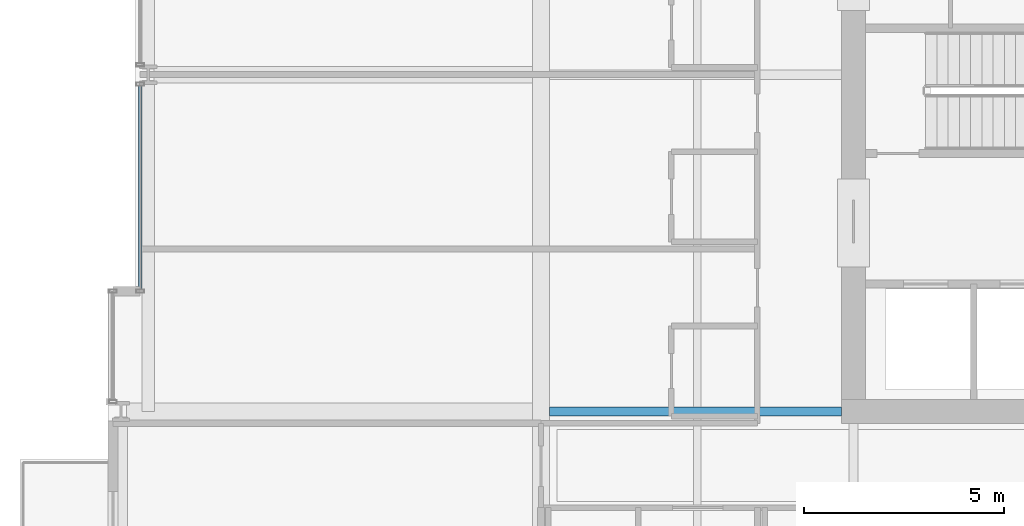
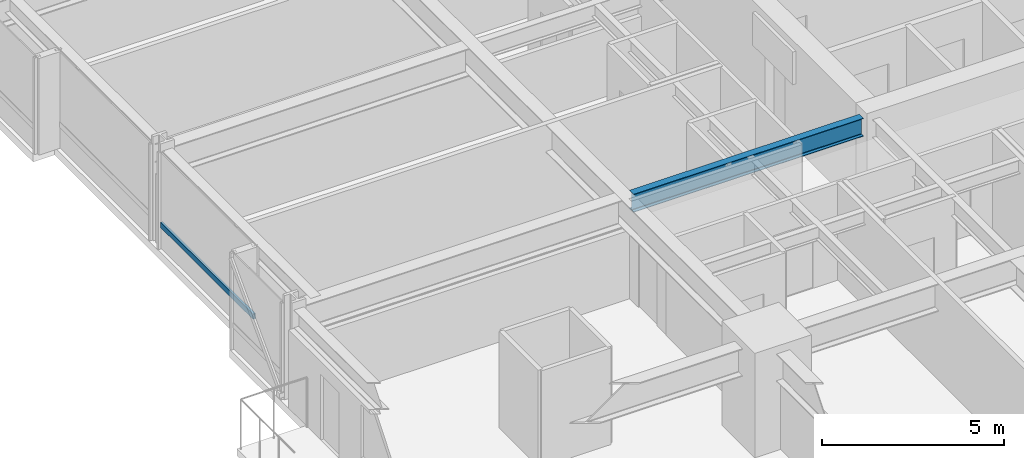
# One storey, part 8 of 39: 1 beam, 1 member, 1 element without a shape of its own.
"""IFC4 building model written with IfcOpenShell, lengths in metres."""

from ifc_helpers import new_model, si_unit, direction, frame, origin, origin_2d, place, context, subcontext, project, spatial, hollow_rectangle, i_section, extrude, material, layer, layer_set, material_profile, profile_set, type_object, element, aggregate, save


model = new_model("IFC4")

# Units and contexts
model_context = context("Model", 3, precision=1e-05, world=origin(), true_north=direction((0.0, 1.0)))
body_context = subcontext(model_context, "Body", "Model", "MODEL_VIEW")
ifc_project = project(units=[si_unit("LENGTHUNIT", "METRE"), si_unit("AREAUNIT", "SQUARE_METRE"), si_unit("VOLUMEUNIT", "CUBIC_METRE"), si_unit("PLANEANGLEUNIT", "RADIAN"), si_unit("MASSUNIT", "GRAM", prefix="KILO")], contexts=[model_context])

# Site, building, storey
site_placement = place(None, origin())
site = spatial("IfcSite", under=ifc_project, at=site_placement, CompositionType="ELEMENT")
building_placement = place(site_placement, origin())
building = spatial("IfcBuilding", under=site, at=building_placement, Name="Drelvath Grand Hotel", CompositionType="ELEMENT")
storey_placement = place(building_placement, frame((0.0, 0.0, 40.199951171875)))
storey = spatial("IfcBuildingStorey", under=building, at=storey_placement, Name="L08", CompositionType="ELEMENT", Elevation=40.199951171875)

# Curtain wall, member
ifc_material_1 = material(Name="Warm Bronze Anodised Aluminium Frame", Category="aluminium")
ifc_layer = layer(ifc_material_1, 0.199951171875)
ifc_layer_set = layer_set([ifc_layer], Name="Warm Bronze Anodised Aluminium Frame")
curtain_wall_type = type_object("IfcCurtainWallType", Name="Stick Curtain Wall CW-02 Warm Bronze Low-Rise", PredefinedType="NOTDEFINED", material=ifc_layer_set)
curtain_wall_placement = place(storey_placement, origin())
curtain_wall = element("IfcCurtainWall", 1, at=curtain_wall_placement, inside=storey, type_object=curtain_wall_type, Name="L08 CW-02 Curtain Wall CW02-L08-WM1", PredefinedType="NOTDEFINED")
ifc_material_profile_1 = material_profile(ifc_material_1, hollow_rectangle(XDim=0.074951171875, YDim=0.179931640625, WallThickness=0.0048828125, at=origin_2d()), Name="HSS180X75X5")
ifc_profile_set_1 = profile_set([ifc_material_profile_1], Name="Warm Bronze Anodised Aluminium Frame")
member_type = type_object("IfcMemberType", Name="Curtain Wall Horizontal Transom CW-02 HSS180X75X5", PredefinedType="USERDEFINED", material=ifc_profile_set_1)
member_placement = place(storey_placement, frame((-26.199951171875, 21.639892578125, 0.81005859375), z_axis=(0.0, 1.0, 0.0), x_axis=(-1.0, 0.0, 0.0)))
member = element("IfcMember", 2, at=member_placement, type_object=member_type, Name="CW02-L08-WM1 Sill Transom", ObjectType="TRANSOM", PredefinedType="USERDEFINED", context=body_context, shape_type="SweptSolid", body=[
    extrude(hollow_rectangle(XDim=0.074951171875, YDim=0.179931640625, WallThickness=0.0048828125, at=origin_2d()), origin(), (0.0, 0.0, 1.0), 5.0791015625),
])
aggregate(curtain_wall, [member])

# Beam
ifc_material_2 = material(Name="Steel ASTM A992 Gr 50", Category="steel")
ifc_material_profile_2 = material_profile(ifc_material_2, i_section(OverallWidth=0.228271484375, OverallDepth=0.607666015625, WebThickness=0.01123046875, FlangeThickness=0.017333984375, FilletRadius=0.02001953125, at=origin_2d()), Name="W24X76")
ifc_profile_set_2 = profile_set([ifc_material_profile_2], Name="Steel ASTM A992 Gr 50")
beam_type = type_object("IfcBeamType", Name="Primary Floor Girder W24X76", PredefinedType="BEAM", material=ifc_profile_set_2)
beam_placement = place(storey_placement, frame((-15.99072265625, 18.60009765625, 2.936279296875), z_axis=(1.0, 0.0, 0.0), x_axis=(0.0, 1.0, 0.0)))
element("IfcBeam", 3, at=beam_placement, inside=storey, type_object=beam_type, Name="L08 West Core Tie D", PredefinedType="BEAM", context=body_context, shape_type="SweptSolid", body=[
    extrude(i_section(OverallWidth=0.228271484375, OverallDepth=0.607666015625, WebThickness=0.01123046875, FlangeThickness=0.017333984375, FilletRadius=0.02001953125, at=origin_2d()), origin(), (0.0, 0.0, 1.0), 7.290771484375),
])

save(model, "model.ifc")
